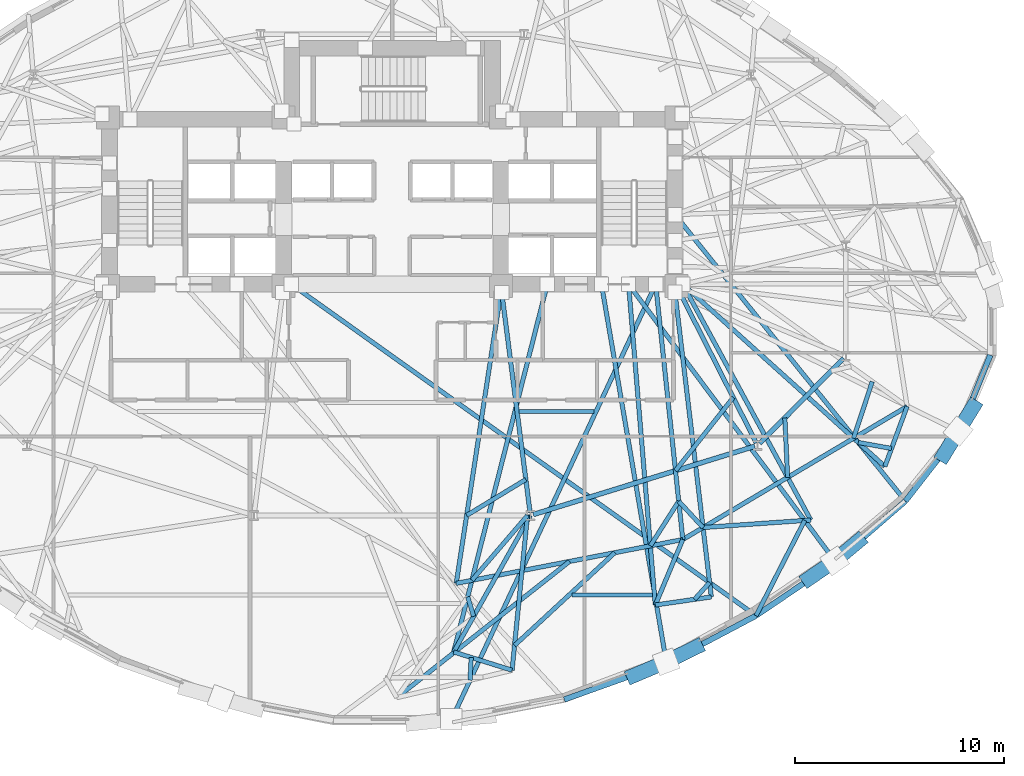
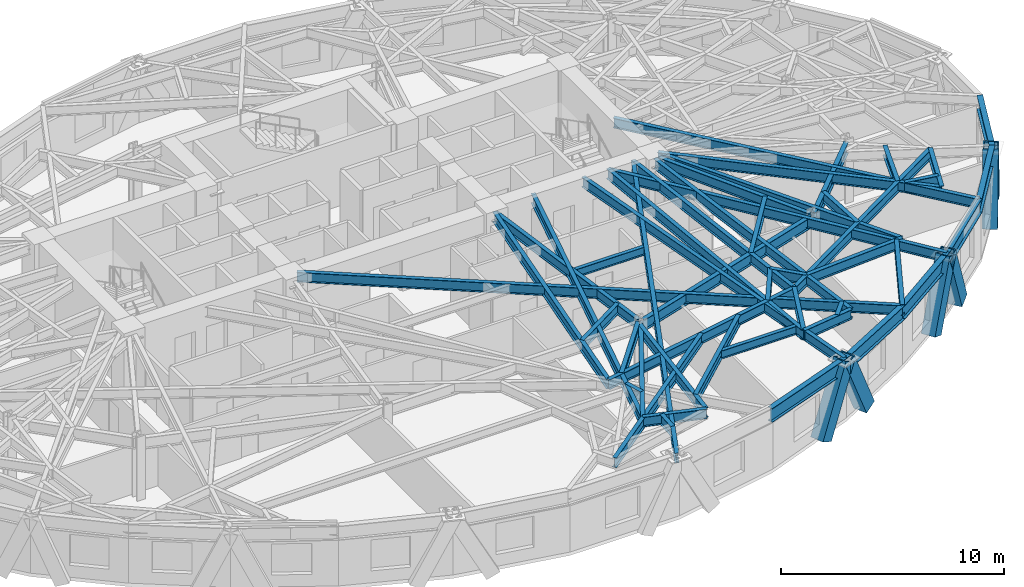
# One storey, part 3 of 14: 47 beams, 6 members.
"""IFC4 building model written with IfcOpenShell, lengths in metres."""

import ifcopenshell
import ifcopenshell.guid

model = None  # the IFC model being written
_history = None  # IfcOwnerHistory: only IFC2X3 demands one
_inside = {}  # id of a spatial element -> (the spatial element, [elements in it])
_under = {}  # id of a project, library or spatial element -> (it, [spatial elements below it])
_declared = {}  # id of a project -> (the project, [libraries it declares])
_typed = {}  # id of a type object -> (the type object, [elements of that type])
_made_of = {}  # id of a material, layer set ... -> (it, [elements and type objects made of it])


def new_model(schema):
    """Start an empty IFC model of exactly this schema.

    Asked for "IFC4X3", IfcOpenShell would pick the latest addendum, in which some entities
    have other attributes; the version numbers below select the first issue.
    IFC2X3 requires an IfcOwnerHistory on every rooted entity: one is made here for all.
    """
    global model, _history
    if schema == "IFC4X3":
        model = ifcopenshell.file(schema_version=(4, 3, 0, 0))
    else:
        model = ifcopenshell.file(schema=schema)
    _inside.clear()
    _under.clear()
    _declared.clear()
    _typed.clear()
    _made_of.clear()
    _history = None
    if model.schema == "IFC2X3":
        org = make("IfcOrganization", Name="unknown")
        user = make(
            "IfcPersonAndOrganization",
            ThePerson=make("IfcPerson", FamilyName="unknown"),
            TheOrganization=org,
        )
        app = make(
            "IfcApplication",
            ApplicationDeveloper=org,
            Version="unknown",
            ApplicationFullName="unknown",
            ApplicationIdentifier="unknown",
        )
        _history = make(
            "IfcOwnerHistory",
            OwningUser=user,
            OwningApplication=app,
            ChangeAction="ADDED",
            CreationDate=0,
        )
    return model


def make(cls, **values):
    """One entity of the class cls with the attributes given. An attribute that is None is left unset."""
    return model.create_entity(
        cls, **{name: value for name, value in values.items() if value is not None}
    )


def rooted(cls, **values):
    """An entity with a GlobalId (a new one), such as an element, a storey or a relation."""
    return make(cls, GlobalId=ifcopenshell.guid.new(), OwnerHistory=_history, **values)


def si_unit(unit_type, name, prefix=None):
    """IfcSIUnit, for example si_unit("LENGTHUNIT", "METRE", prefix="MILLI")."""
    return make("IfcSIUnit", UnitType=unit_type, Prefix=prefix, Name=name)


def assignment(units):
    """IfcUnitAssignment: the units of a project."""
    return None if units is None else make("IfcUnitAssignment", Units=units)


def point(xyz):
    """IfcCartesianPoint."""
    return None if xyz is None else make("IfcCartesianPoint", Coordinates=xyz)


def direction(xyz):
    """IfcDirection."""
    return None if xyz is None else make("IfcDirection", DirectionRatios=xyz)


def frame(location, z_axis=None, x_axis=None):
    """IfcAxis2Placement3D, a coordinate frame: its origin and axes. An axis left out is left unset."""
    return make(
        "IfcAxis2Placement3D",
        Location=point(location),
        Axis=direction(z_axis),
        RefDirection=direction(x_axis),
    )


def frame_2d(location, x_axis=None):
    """IfcAxis2Placement2D, a coordinate frame in the plane: its origin and x axis."""
    return make(
        "IfcAxis2Placement2D", Location=point(location), RefDirection=direction(x_axis)
    )


def origin():
    """The frame at (0, 0, 0) with its axes left unset."""
    return frame((0.0, 0.0, 0.0))


def origin_2d():
    """The frame at (0, 0) in the plane with its x axis left unset."""
    return frame_2d((0.0, 0.0))


def place(relative_to, where):
    """IfcLocalPlacement: puts the frame where relative to a parent placement (None: the world)."""
    return make(
        "IfcLocalPlacement", PlacementRelTo=relative_to, RelativePlacement=where
    )


def context(
    kind, dimensions, precision=None, world=None, true_north=None, identifier=None
):
    """IfcGeometricRepresentationContext, for example the 3D "Model" context."""
    return make(
        "IfcGeometricRepresentationContext",
        ContextIdentifier=identifier,
        ContextType=kind,
        CoordinateSpaceDimension=dimensions,
        Precision=precision,
        WorldCoordinateSystem=world,
        TrueNorth=true_north,
    )


def subcontext(parent, identifier, kind, view, scale=None):
    """IfcGeometricRepresentationSubContext, for example "Body" below "Model"."""
    return make(
        "IfcGeometricRepresentationSubContext",
        ContextIdentifier=identifier,
        ContextType=kind,
        ParentContext=parent,
        TargetScale=scale,
        TargetView=view,
    )


def project(units=None, contexts=None):
    """IfcProject with its units and contexts."""
    return rooted(
        "IfcProject",
        Name="project",
        RepresentationContexts=contexts,
        UnitsInContext=assignment(units),
    )


def spatial(cls, under=None, at=None, **own):
    """A site, building, storey or space (cls), placed at a placement, below another one or the project."""
    s = rooted(cls, ObjectPlacement=at, **own)
    if under is not None:
        _under.setdefault(under.id(), (under, []))[1].append(s)
    return s


def profile(cls, at=None, kind="AREA", **sizes):
    """A parametric profile (cls). Its sizes go by their IFC names, for example OverallWidth=200.0."""
    return make(cls, ProfileType=kind, Position=at, **sizes)


def hollow_rectangle(**sizes):
    """IfcRectangleHollowProfileDef."""
    return profile("IfcRectangleHollowProfileDef", **sizes)


def i_section(**sizes):
    """IfcIShapeProfileDef."""
    return profile("IfcIShapeProfileDef", **sizes)


def extrude(swept, where, along, depth):
    """IfcExtrudedAreaSolid: the profile swept, set in the frame where, extruded along a direction by depth."""
    return make(
        "IfcExtrudedAreaSolid",
        SweptArea=swept,
        Position=where,
        ExtrudedDirection=direction(along),
        Depth=depth,
    )


def shape(context_of_items, identifier, shape_type, items):
    """IfcShapeRepresentation: the items that make up one representation, for example the "Body"."""
    return make(
        "IfcShapeRepresentation",
        ContextOfItems=context_of_items,
        RepresentationIdentifier=identifier,
        RepresentationType=shape_type,
        Items=items,
    )


def material(Name=None, Category=None):
    """IfcMaterial."""
    return make("IfcMaterial", Name=Name, Category=Category)


def material_profile(
    of_material, cross_section, Name=None, Category=None, Priority=None
):
    """IfcMaterialProfile: a cross section and its material."""
    return make(
        "IfcMaterialProfile",
        Name=Name,
        Material=of_material,
        Profile=cross_section,
        Priority=Priority,
        Category=Category,
    )


def profile_set(profiles, Name=None, composite=None):
    """IfcMaterialProfileSet."""
    return make(
        "IfcMaterialProfileSet",
        Name=Name,
        MaterialProfiles=profiles,
        CompositeProfile=composite,
    )


def made_of(thing, what):
    """Note that an element or type object is made of a material, layer set ...; save() writes the relation."""
    if what is not None:
        _made_of.setdefault(what.id(), (what, []))[1].append(thing)
    return thing


def type_object(cls, material=None, **own):
    """A type object (cls), such as IfcWallType, which elements share."""
    return made_of(rooted(cls, **own), material)


def element(
    cls,
    number,
    at=None,
    inside=None,
    cuts=None,
    type_object=None,
    material=None,
    context=None,
    identifier="Body",
    shape_type=None,
    held_by="IfcProductDefinitionShape",
    body=None,
    shapes=None,
    **own,
):
    """One element of the class cls, such as IfcWall. Its Tag is "e" and its number.

    at: its placement. inside: the storey or other place that contains it. cuts: it is an
    opening in that element (IfcRelVoidsElement). A single representation is given by context,
    identifier, shape_type and body (its items); several are given by shapes. held_by: the class
    of the entity that holds the representations. save() writes the other relations.
    """
    e = rooted(cls, Tag="e%d" % number, ObjectPlacement=at, **own)
    if body is not None:
        shapes = [shape(context, identifier, shape_type, body)]
    if shapes is not None:
        e.Representation = make(held_by, Representations=shapes)
    if inside is not None:
        _inside.setdefault(inside.id(), (inside, []))[1].append(e)
    if cuts is not None:
        rooted(
            "IfcRelVoidsElement", RelatingBuildingElement=cuts, RelatedOpeningElement=e
        )
    if type_object is not None:
        _typed.setdefault(type_object.id(), (type_object, []))[1].append(e)
    return made_of(e, material)


def aggregate(whole, parts):
    """IfcRelAggregates: a whole, such as a stair, and the parts it consists of."""
    return rooted("IfcRelAggregates", RelatingObject=whole, RelatedObjects=parts)


def save(model, path):
    """Write the relations noted so far, then the file.

    IfcRelAggregates (storeys below a building ...), IfcRelContainedInSpatialStructure (elements
    in a storey), IfcRelDefinesByType, IfcRelAssociatesMaterial and IfcRelDeclares: one each for
    every whole, place, type object, material and project.
    """
    for whole, parts in _under.values():
        aggregate(whole, parts)
    for where, things in _inside.values():
        rooted(
            "IfcRelContainedInSpatialStructure",
            RelatedElements=things,
            RelatingStructure=where,
        )
    for kind, things in _typed.values():
        rooted("IfcRelDefinesByType", RelatedObjects=things, RelatingType=kind)
    for what, things in _made_of.values():
        rooted("IfcRelAssociatesMaterial", RelatedObjects=things, RelatingMaterial=what)
    for by, libraries in _declared.values():
        rooted("IfcRelDeclares", RelatingContext=by, RelatedDefinitions=libraries)
    model.write(path)


model = new_model("IFC4")

# Units and contexts
model_context = context("Model", 3, precision=1e-05, world=origin(), true_north=direction((0.0, 1.0)))
body_context = subcontext(model_context, "Body", "Model", "MODEL_VIEW")
ifc_project = project(units=[si_unit("LENGTHUNIT", "METRE"), si_unit("AREAUNIT", "SQUARE_METRE"), si_unit("VOLUMEUNIT", "CUBIC_METRE"), si_unit("PLANEANGLEUNIT", "RADIAN"), si_unit("MASSUNIT", "GRAM", prefix="KILO")], contexts=[model_context])

# Site, building, storey
site_placement = place(None, origin())
site = spatial("IfcSite", under=ifc_project, at=site_placement, CompositionType="ELEMENT")
building_placement = place(site_placement, origin())
building = spatial("IfcBuilding", under=site, at=building_placement, Name="Keldmark Tower", CompositionType="ELEMENT")
storey_placement = place(building_placement, frame((0.0, 0.0, 89.60009765625)))
storey = spatial("IfcBuildingStorey", under=building, at=storey_placement, Name="L23", CompositionType="ELEMENT", Elevation=89.60009765625)

# Beams
ifc_material_1 = material(Name="Steel ASTM A992 Grade 50", Category="steel")
ifc_material_profile_1 = material_profile(ifc_material_1, i_section(OverallWidth=0.19091796875, OverallDepth=0.45703125, WebThickness=0.009033203125, FlangeThickness=0.014404296875, at=origin_2d()), Name="W18X50")
ifc_profile_set_1 = profile_set([ifc_material_profile_1], Name="Steel ASTM A992 Grade 50")
beam_type_1 = type_object("IfcBeamType", Name="Composite Floor Joist W18X50", PredefinedType="JOIST", material=ifc_profile_set_1)
beam_1_placement = place(storey_placement, frame((8.61181640625, -13.3798828125, 3.081298828125), z_axis=(1.0, 0.0, 0.0), x_axis=(0.0, 1.0, 0.0)))
element("IfcBeam", 1, at=beam_1_placement, inside=storey, type_object=beam_type_1, Name="L23 Composite Floor Joist J03", PredefinedType="JOIST", context=body_context, shape_type="SweptSolid", body=[
    extrude(i_section(OverallWidth=0.19091796875, OverallDepth=0.45703125, WebThickness=0.009033203125, FlangeThickness=0.014404296875, at=origin_2d()), origin(), (0.0, 0.0, 1.0), 3.836669921875),
])
beam_2_placement = place(storey_placement, frame((6.07080078125, -4.60009765625, 3.081298828125), z_axis=(1.0, 0.0, 0.0), x_axis=(0.0, 1.0, 0.0)))
element("IfcBeam", 2, at=beam_2_placement, inside=storey, type_object=beam_type_1, Name="L23 Composite Floor Joist J06", PredefinedType="JOIST", context=body_context, shape_type="SweptSolid", body=[
    extrude(i_section(OverallWidth=0.19091796875, OverallDepth=0.45703125, WebThickness=0.009033203125, FlangeThickness=0.014404296875, at=origin_2d()), origin(), (0.0, 0.0, 1.0), 3.57763671875),
])

# Members
ifc_material_2 = material(Name="Steel ASTM A572 Grade 50", Category="steel")
ifc_material_profile_2 = material_profile(ifc_material_2, hollow_rectangle(XDim=0.699951171875, YDim=0.699951171875, WallThickness=0.054931640625, at=origin_2d()), Name="BOX700X700X55")
ifc_profile_set_2 = profile_set([ifc_material_profile_2], Name="Steel ASTM A572 Grade 50")
member_type = type_object("IfcMemberType", Name="Diagrid Zone 1 Brace BOX700X700X55", PredefinedType="BRACE", material=ifc_profile_set_2)
member_1_placement = place(storey_placement, frame((11.5244140625, -17.249755859375, -0.27001953125), z_axis=(0.409173634849, 0.172596418903, 0.895984047138), x_axis=(-0.388655184327, 0.921383279475, 0.0)))
element("IfcMember", 3, at=member_1_placement, inside=storey, type_object=member_type, Name="L23 Perimeter Diagrid Brace 13B", PredefinedType="BRACE", context=body_context, shape_type="SweptSolid", body=[
    extrude(hollow_rectangle(XDim=0.699951171875, YDim=0.699951171875, WallThickness=0.054931640625, at=origin_2d()), origin(), (0.0, 0.0, 1.0), 3.861572265625),
])
member_2_placement = place(storey_placement, frame((14.55322265625, -15.872314453125, -0.27001953125), z_axis=(-0.381840327912, -0.187184144692, 0.905074615684), x_axis=(0.44017146199, -0.89791373976, 0.0)))
element("IfcMember", 4, at=member_2_placement, inside=storey, type_object=member_type, Name="L23 Perimeter Diagrid Brace 14A", PredefinedType="BRACE", context=body_context, shape_type="SweptSolid", body=[
    extrude(hollow_rectangle(XDim=0.699951171875, YDim=0.699951171875, WallThickness=0.054931640625, at=origin_2d()), origin(), (0.0, 0.0, 1.0), 3.82275390625),
])
member_3_placement = place(storey_placement, frame((19.907470703125, -12.614013671875, -0.27001953125), z_axis=(0.333620470864, 0.228093392152, 0.914697100617), x_axis=(-0.564391894184, 0.82550698954, 0.0)))
element("IfcMember", 5, at=member_3_placement, inside=storey, type_object=member_type, Name="L23 Perimeter Diagrid Brace 14B", PredefinedType="BRACE", context=body_context, shape_type="SweptSolid", body=[
    extrude(hollow_rectangle(XDim=0.699951171875, YDim=0.699951171875, WallThickness=0.054931640625, at=origin_2d()), origin(), (0.0, 0.0, 1.0), 3.78271484375),
])
member_4_placement = place(storey_placement, frame((22.3076171875, -10.80419921875, -0.27001953125), z_axis=(-0.304262540081, -0.25353051945, 0.918230135865), x_axis=(0.640152216229, -0.768248097984, 0.0)))
element("IfcMember", 6, at=member_4_placement, inside=storey, type_object=member_type, Name="L23 Perimeter Diagrid Brace 15A", PredefinedType="BRACE", context=body_context, shape_type="SweptSolid", body=[
    extrude(hollow_rectangle(XDim=0.699951171875, YDim=0.699951171875, WallThickness=0.054931640625, at=origin_2d()), origin(), (0.0, 0.0, 1.0), 3.76806640625),
])
member_5_placement = place(storey_placement, frame((26.37841796875, -6.693115234375, -0.27001953125), z_axis=(0.187684398206, 0.308178834782, 0.932630887577), x_axis=(-0.854078792006, 0.520143650395, 0.0)))
element("IfcMember", 7, at=member_5_placement, inside=storey, type_object=member_type, Name="L23 Perimeter Diagrid Brace 15B", PredefinedType="BRACE", context=body_context, shape_type="SweptSolid", body=[
    extrude(hollow_rectangle(XDim=0.699951171875, YDim=0.699951171875, WallThickness=0.054931640625, at=origin_2d()), origin(), (0.0, 0.0, 1.0), 3.7099609375),
])
member_6_placement = place(storey_placement, frame((27.798583984375, -4.372314453125, -0.27001953125), z_axis=(-0.195238026739, -0.31861170438, 0.927560615134), x_axis=(0.852649078303, -0.522484018196, 0.0)))
element("IfcMember", 8, at=member_6_placement, inside=storey, type_object=member_type, Name="L23 Perimeter Diagrid Brace 16A", PredefinedType="BRACE", context=body_context, shape_type="SweptSolid", body=[
    extrude(hollow_rectangle(XDim=0.699951171875, YDim=0.699951171875, WallThickness=0.054931640625, at=origin_2d()), origin(), (0.0, 0.0, 1.0), 3.730224609375),
])

# Beams
ifc_material_3 = material(Name="Steel ASTM A992 Grade 50", Category="steel")
ifc_material_profile_3 = material_profile(ifc_material_3, i_section(OverallWidth=0.22900390625, OverallDepth=0.612060546875, WebThickness=0.011962890625, FlangeThickness=0.01953125, at=origin_2d()), Name="W24X84")
ifc_profile_set_3 = profile_set([ifc_material_profile_3], Name="Steel ASTM A992 Grade 50")
beam_type_2 = type_object("IfcBeamType", Name="Primary Floor Girder W24X84", PredefinedType="BEAM", material=ifc_profile_set_3)
beam_3_placement = place(storey_placement, frame((6.74658203125, -9.5380859375, 3.00390625), z_axis=(0.955607954968, 0.294641199432, 0.0), x_axis=(-0.294641199432, 0.955607954968, 0.0)))
element("IfcBeam", 9, at=beam_3_placement, inside=storey, type_object=beam_type_2, Name="L23 Floor Ring Girder FG-R10", PredefinedType="BEAM", context=body_context, shape_type="SweptSolid", body=[
    extrude(i_section(OverallWidth=0.22900390625, OverallDepth=0.612060546875, WebThickness=0.011962890625, FlangeThickness=0.01953125, at=origin_2d()), origin(), (0.0, 0.0, 1.0), 11.089111328125),
])
beam_4_placement = place(storey_placement, frame((17.57568359375, -6.130126953125, 3.00390625), z_axis=(0.703425791323, 0.71076870788, 0.0), x_axis=(-0.71076870788, 0.703425791323, 0.0)))
element("IfcBeam", 10, at=beam_4_placement, inside=storey, type_object=beam_type_2, Name="L23 Floor Ring Girder FG-R11", PredefinedType="BEAM", context=body_context, shape_type="SweptSolid", body=[
    extrude(i_section(OverallWidth=0.22900390625, OverallDepth=0.612060546875, WebThickness=0.011962890625, FlangeThickness=0.01953125, at=origin_2d()), origin(), (0.0, 0.0, 1.0), 5.71875),
])
ifc_material_4 = material(Name="Steel ASTM A992 Grade 50", Category="steel")
ifc_material_profile_4 = material_profile(ifc_material_4, i_section(OverallWidth=0.2099609375, OverallDepth=0.537109375, WebThickness=0.010986328125, FlangeThickness=0.017333984375, at=origin_2d()), Name="W21X68")
ifc_profile_set_4 = profile_set([ifc_material_profile_4], Name="Steel ASTM A992 Grade 50")
beam_type_3 = type_object("IfcBeamType", Name="Radial Tie Girder W21X68", PredefinedType="BEAM", material=ifc_profile_set_4)
beam_5_placement = place(storey_placement, frame((6.391845703125, -7.862060546875, 3.04150390625), z_axis=(-0.854858796967, -0.518860710835, 0.0), x_axis=(0.518860710835, -0.854858796967, 0.0)))
element("IfcBeam", 11, at=beam_5_placement, inside=storey, type_object=beam_type_3, Name="L23 Framing Pin Header PH-007", PredefinedType="BEAM", context=body_context, shape_type="SweptSolid", body=[
    extrude(i_section(OverallWidth=0.2099609375, OverallDepth=0.537109375, WebThickness=0.010986328125, FlangeThickness=0.017333984375, at=origin_2d()), origin(), (0.0, 0.0, 1.0), 3.309814453125),
])
beam_6_placement = place(storey_placement, frame((5.199951171875, 1.10009765625, 3.04150390625), z_axis=(-0.1515715807, -0.988446283783, 0.0), x_axis=(0.988446283783, -0.1515715807, 0.0)))
element("IfcBeam", 12, at=beam_6_placement, inside=storey, type_object=beam_type_3, Name="L23 Sub-Ring Step Girder STP2-M10", PredefinedType="BEAM", context=body_context, shape_type="SweptSolid", body=[
    extrude(i_section(OverallWidth=0.2099609375, OverallDepth=0.537109375, WebThickness=0.010986328125, FlangeThickness=0.017333984375, at=origin_2d()), origin(), (0.0, 0.0, 1.0), 14.09228515625),
])
beam_7_placement = place(storey_placement, frame((16.313232421875, -3.93896484375, 3.04150390625), z_axis=(-0.619413520436, -0.785064895853, 0.0), x_axis=(0.785064895853, -0.619413520436, 0.0)))
element("IfcBeam", 13, at=beam_7_placement, inside=storey, type_object=beam_type_3, Name="L23 Framing Pin Header PH-008", PredefinedType="BEAM", context=body_context, shape_type="SweptSolid", body=[
    extrude(i_section(OverallWidth=0.2099609375, OverallDepth=0.537109375, WebThickness=0.010986328125, FlangeThickness=0.017333984375, at=origin_2d()), origin(), (0.0, 0.0, 1.0), 4.459716796875),
])
beam_8_placement = place(storey_placement, frame((12.603515625, 1.47509765625, 3.04150390625), z_axis=(0.105674348574, -0.994400790453, 0.0), x_axis=(0.994400790453, 0.105674348574, 0.0)))
element("IfcBeam", 14, at=beam_8_placement, inside=storey, type_object=beam_type_3, Name="L23 Sub-Ring Step Girder STP2-M11", PredefinedType="BEAM", context=body_context, shape_type="SweptSolid", body=[
    extrude(i_section(OverallWidth=0.2099609375, OverallDepth=0.537109375, WebThickness=0.010986328125, FlangeThickness=0.017333984375, at=origin_2d()), origin(), (0.0, 0.0, 1.0), 12.277099609375),
])
beam_9_placement = place(storey_placement, frame((3.06396484375, -12.829345703125, 3.04150390625), z_axis=(0.981801408261, 0.189910491379, 0.0), x_axis=(-0.189910491379, 0.981801408261, 0.0)))
element("IfcBeam", 15, at=beam_9_placement, inside=storey, type_object=beam_type_3, Name="L23 Perimeter Collector Ring Beam CRG2-M10", PredefinedType="BEAM", context=body_context, shape_type="SweptSolid", body=[
    extrude(i_section(OverallWidth=0.2099609375, OverallDepth=0.537109375, WebThickness=0.010986328125, FlangeThickness=0.017333984375, at=origin_2d()), origin(), (0.0, 0.0, 1.0), 11.037841796875),
])
beam_10_placement = place(storey_placement, frame((13.90087890625, -10.733154296875, 3.04150390625), z_axis=(0.860067317531, 0.510180565403, 0.0), x_axis=(-0.510180565403, 0.860067317531, 0.0)))
element("IfcBeam", 16, at=beam_10_placement, inside=storey, type_object=beam_type_3, Name="L23 Perimeter Collector Ring Beam CRG2-M11", PredefinedType="BEAM", context=body_context, shape_type="SweptSolid", body=[
    extrude(i_section(OverallWidth=0.2099609375, OverallDepth=0.537109375, WebThickness=0.010986328125, FlangeThickness=0.017333984375, at=origin_2d()), origin(), (0.0, 0.0, 1.0), 12.47412109375),
])
beam_11_placement = place(storey_placement, frame((6.472900390625, -9.579345703125, 3.04150390625), z_axis=(-0.650511004562, -0.759496828791, 0.0), x_axis=(0.759496828791, -0.650511004562, 0.0)))
element("IfcBeam", 17, at=beam_11_placement, inside=storey, type_object=beam_type_3, Name="L23 Framing Pin Header PH-027", PredefinedType="BEAM", context=body_context, shape_type="SweptSolid", body=[
    extrude(i_section(OverallWidth=0.2099609375, OverallDepth=0.537109375, WebThickness=0.010986328125, FlangeThickness=0.017333984375, at=origin_2d()), origin(), (0.0, 0.0, 1.0), 4.088134765625),
])
beam_12_placement = place(storey_placement, frame((7.41796875, 1.47509765625, 3.04150390625), z_axis=(-0.246702252264, -0.969091326309, 0.0), x_axis=(0.969091326309, -0.246702252264, 0.0)))
element("IfcBeam", 18, at=beam_12_placement, inside=storey, type_object=beam_type_3, Name="L23 Intermediate Radial Step Girder RT-25M", PredefinedType="BEAM", context=body_context, shape_type="SweptSolid", body=[
    extrude(i_section(OverallWidth=0.2099609375, OverallDepth=0.537109375, WebThickness=0.010986328125, FlangeThickness=0.017333984375, at=origin_2d()), origin(), (0.0, 0.0, 1.0), 18.147705078125),
])
beam_13_placement = place(storey_placement, frame((6.61279296875, -9.579345703125, 3.04150390625), z_axis=(-0.490007537333, -0.871718196069, 0.0), x_axis=(0.871718196069, -0.490007537333, 0.0)))
element("IfcBeam", 19, at=beam_13_placement, inside=storey, type_object=beam_type_3, Name="L23 Local Collector Chord RT-25C", PredefinedType="BEAM", context=body_context, shape_type="SweptSolid", body=[
    extrude(i_section(OverallWidth=0.2099609375, OverallDepth=0.537109375, WebThickness=0.010986328125, FlangeThickness=0.017333984375, at=origin_2d()), origin(), (0.0, 0.0, 1.0), 7.493408203125),
])
beam_14_placement = place(storey_placement, frame((3.612548828125, -13.4736328125, 3.04150390625), z_axis=(0.291856969132, -0.956461974973, 0.0), x_axis=(0.956461974973, 0.291856969132, 0.0)))
element("IfcBeam", 20, at=beam_14_placement, inside=storey, type_object=beam_type_3, Name="L23 Framing Pin Header PH-028", PredefinedType="BEAM", context=body_context, shape_type="SweptSolid", body=[
    extrude(i_section(OverallWidth=0.2099609375, OverallDepth=0.537109375, WebThickness=0.010986328125, FlangeThickness=0.017333984375, at=origin_2d()), origin(), (0.0, 0.0, 1.0), 0.977783203125),
])
beam_15_placement = place(storey_placement, frame((2.94091796875, -16.111572265625, 3.04150390625), z_axis=(0.954353708733, -0.298678754897, 0.0), x_axis=(0.298678754897, 0.954353708733, 0.0)))
element("IfcBeam", 21, at=beam_15_placement, inside=storey, type_object=beam_type_3, Name="L23 Local Collector Chord RT-26C", PredefinedType="BEAM", context=body_context, shape_type="SweptSolid", body=[
    extrude(i_section(OverallWidth=0.2099609375, OverallDepth=0.537109375, WebThickness=0.010986328125, FlangeThickness=0.017333984375, at=origin_2d()), origin(), (0.0, 0.0, 1.0), 2.92626953125),
])
beam_16_placement = place(storey_placement, frame((13.706298828125, -8.902099609375, 3.04150390625), z_axis=(-0.537163075691, -0.843478411172, 0.0), x_axis=(0.843478411172, -0.537163075691, 0.0)))
element("IfcBeam", 22, at=beam_16_placement, inside=storey, type_object=beam_type_3, Name="L23 Framing Pin Header PH-029", PredefinedType="BEAM", context=body_context, shape_type="SweptSolid", body=[
    extrude(i_section(OverallWidth=0.2099609375, OverallDepth=0.537109375, WebThickness=0.010986328125, FlangeThickness=0.017333984375, at=origin_2d()), origin(), (0.0, 0.0, 1.0), 2.526611328125),
])
beam_17_placement = place(storey_placement, frame((11.30712890625, 1.47509765625, 3.04150390625), z_axis=(0.083021855392, -0.996547726668, 0.0), x_axis=(0.996547726668, 0.083021855392, 0.0)))
element("IfcBeam", 23, at=beam_17_placement, inside=storey, type_object=beam_type_3, Name="L23 Intermediate Radial Step Girder RT-27M", PredefinedType="BEAM", context=body_context, shape_type="SweptSolid", body=[
    extrude(i_section(OverallWidth=0.2099609375, OverallDepth=0.537109375, WebThickness=0.010986328125, FlangeThickness=0.017333984375, at=origin_2d()), origin(), (0.0, 0.0, 1.0), 15.39453125),
])
beam_18_placement = place(storey_placement, frame((13.90087890625, -10.733154296875, 3.04150390625), z_axis=(-0.387179960896, -0.9220041637, 0.0), x_axis=(0.9220041637, -0.387179960896, 0.0)))
element("IfcBeam", 24, at=beam_18_placement, inside=storey, type_object=beam_type_3, Name="L23 Local Collector Chord RT-27C", PredefinedType="BEAM", context=body_context, shape_type="SweptSolid", body=[
    extrude(i_section(OverallWidth=0.2099609375, OverallDepth=0.537109375, WebThickness=0.010986328125, FlangeThickness=0.017333984375, at=origin_2d()), origin(), (0.0, 0.0, 1.0), 3.398193359375),
])
beam_19_placement = place(storey_placement, frame((10.0107421875, 1.47509765625, 3.04150390625), z_axis=(0.169256154874, -0.985572094794, 0.0), x_axis=(0.985572094794, 0.169256154874, 0.0)))
element("IfcBeam", 25, at=beam_19_placement, inside=storey, type_object=beam_type_3, Name="L23 Perimeter Radial Tie Girder RT-27", PredefinedType="BEAM", context=body_context, shape_type="SweptSolid", body=[
    extrude(i_section(OverallWidth=0.2099609375, OverallDepth=0.537109375, WebThickness=0.010986328125, FlangeThickness=0.017333984375, at=origin_2d()), origin(), (0.0, 0.0, 1.0), 18.380859375),
])
beam_20_placement = place(storey_placement, frame((13.706298828125, -8.902099609375, 3.04150390625), z_axis=(0.679197580968, -0.733955479581, 0.0), x_axis=(0.733955479581, 0.679197580968, 0.0)))
element("IfcBeam", 26, at=beam_20_placement, inside=storey, type_object=beam_type_3, Name="L23 Framing Pin Header PH-030", PredefinedType="BEAM", context=body_context, shape_type="SweptSolid", body=[
    extrude(i_section(OverallWidth=0.2099609375, OverallDepth=0.537109375, WebThickness=0.010986328125, FlangeThickness=0.017333984375, at=origin_2d()), origin(), (0.0, 0.0, 1.0), 1.712158203125),
])
beam_21_placement = place(storey_placement, frame((13.52490234375, 1.10009765625, 3.04150390625), z_axis=(0.118539275624, -0.992949364336, 0.0), x_axis=(0.992949364336, 0.118539275624, 0.0)))
element("IfcBeam", 27, at=beam_21_placement, inside=storey, type_object=beam_type_3, Name="L23 Intermediate Radial Step Girder RT-28M", PredefinedType="BEAM", context=body_context, shape_type="SweptSolid", body=[
    extrude(i_section(OverallWidth=0.2099609375, OverallDepth=0.537109375, WebThickness=0.010986328125, FlangeThickness=0.017333984375, at=origin_2d()), origin(), (0.0, 0.0, 1.0), 14.6806640625),
])
beam_22_placement = place(storey_placement, frame((12.585205078125, -13.8662109375, 3.04150390625), z_axis=(0.989620500195, 0.143705482127, 0.0), x_axis=(-0.143705482127, 0.989620500195, 0.0)))
element("IfcBeam", 28, at=beam_22_placement, inside=storey, type_object=beam_type_3, Name="L23 Local Collector Chord RT-28C", PredefinedType="BEAM", context=body_context, shape_type="SweptSolid", body=[
    extrude(i_section(OverallWidth=0.2099609375, OverallDepth=0.537109375, WebThickness=0.010986328125, FlangeThickness=0.017333984375, at=origin_2d()), origin(), (0.0, 0.0, 1.0), 2.7080078125),
])
beam_23_placement = place(storey_placement, frame((14.461181640625, -13.59375, 3.04150390625), z_axis=(0.66915218364, 0.743125396639, 0.0), x_axis=(-0.743125396639, 0.66915218364, 0.0)))
element("IfcBeam", 29, at=beam_23_placement, inside=storey, type_object=beam_type_3, Name="L23 Framing Pin Header PH-031", PredefinedType="BEAM", context=body_context, shape_type="SweptSolid", body=[
    extrude(i_section(OverallWidth=0.2099609375, OverallDepth=0.537109375, WebThickness=0.010986328125, FlangeThickness=0.017333984375, at=origin_2d()), origin(), (0.0, 0.0, 1.0), 1.079345703125),
])
beam_24_placement = place(storey_placement, frame((-4.824951171875, 1.47509765625, 3.04150390625), z_axis=(0.814211727805, -0.580568051399, 0.0), x_axis=(0.580568051399, 0.814211727805, 0.0)))
element("IfcBeam", 30, at=beam_24_placement, inside=storey, type_object=beam_type_3, Name="L23 Perimeter Radial Tie Girder RT-28", PredefinedType="BEAM", context=body_context, shape_type="SweptSolid", body=[
    extrude(i_section(OverallWidth=0.2099609375, OverallDepth=0.537109375, WebThickness=0.010986328125, FlangeThickness=0.017333984375, at=origin_2d()), origin(), (0.0, 0.0, 1.0), 27.3017578125),
])
beam_25_placement = place(storey_placement, frame((18.78271484375, -4.91064453125, 3.04150390625), z_axis=(0.046145510685, -0.99893472852, 0.0), x_axis=(0.99893472852, 0.046145510685, 0.0)))
element("IfcBeam", 31, at=beam_25_placement, inside=storey, type_object=beam_type_3, Name="L23 Framing Pin Header PH-032", PredefinedType="BEAM", context=body_context, shape_type="SweptSolid", body=[
    extrude(i_section(OverallWidth=0.2099609375, OverallDepth=0.537109375, WebThickness=0.010986328125, FlangeThickness=0.017333984375, at=origin_2d()), origin(), (0.0, 0.0, 1.0), 2.8515625),
])
beam_26_placement = place(storey_placement, frame((13.89990234375, 1.47509765625, 3.04150390625), z_axis=(0.477218245303, -0.878784812312, 0.0), x_axis=(0.878784812312, 0.477218245303, 0.0)))
element("IfcBeam", 32, at=beam_26_placement, inside=storey, type_object=beam_type_3, Name="L23 Intermediate Radial Step Girder RT-29M", PredefinedType="BEAM", context=body_context, shape_type="SweptSolid", body=[
    extrude(i_section(OverallWidth=0.2099609375, OverallDepth=0.537109375, WebThickness=0.010986328125, FlangeThickness=0.017333984375, at=origin_2d()), origin(), (0.0, 0.0, 1.0), 12.831298828125),
])
beam_27_placement = place(storey_placement, frame((14.869140625, -10.15869140625, 3.04150390625), z_axis=(0.997597557042, 0.069275639175, 0.0), x_axis=(-0.069275639175, 0.997597557042, 0.0)))
element("IfcBeam", 33, at=beam_27_placement, inside=storey, type_object=beam_type_3, Name="L23 Local Collector Chord RT-29C", PredefinedType="BEAM", context=body_context, shape_type="SweptSolid", body=[
    extrude(i_section(OverallWidth=0.2099609375, OverallDepth=0.537109375, WebThickness=0.010986328125, FlangeThickness=0.017333984375, at=origin_2d()), origin(), (0.0, 0.0, 1.0), 5.16650390625),
])
beam_28_placement = place(storey_placement, frame((17.404541015625, -14.37548828125, 3.04150390625), z_axis=(0.45523299267, 0.890372350416, 0.0), x_axis=(-0.890372350416, 0.45523299267, 0.0)))
element("IfcBeam", 34, at=beam_28_placement, inside=storey, type_object=beam_type_3, Name="L23 Framing Pin Header PH-033", PredefinedType="BEAM", context=body_context, shape_type="SweptSolid", body=[
    extrude(i_section(OverallWidth=0.2099609375, OverallDepth=0.537109375, WebThickness=0.010986328125, FlangeThickness=0.017333984375, at=origin_2d()), origin(), (0.0, 0.0, 1.0), 5.115234375),
])
beam_29_placement = place(storey_placement, frame((11.30712890625, 1.47509765625, 3.04150390625), z_axis=(0.5979054554, -0.801566632541, 0.0), x_axis=(0.801566632541, 0.5979054554, 0.0)))
element("IfcBeam", 35, at=beam_29_placement, inside=storey, type_object=beam_type_3, Name="L23 Perimeter Radial Tie Girder RT-29", PredefinedType="BEAM", context=body_context, shape_type="SweptSolid", body=[
    extrude(i_section(OverallWidth=0.2099609375, OverallDepth=0.537109375, WebThickness=0.010986328125, FlangeThickness=0.017333984375, at=origin_2d()), origin(), (0.0, 0.0, 1.0), 16.558349609375),
])
beam_30_placement = place(storey_placement, frame((22.9638671875, -3.177978515625, 3.04150390625), z_axis=(-0.313583405224, -0.949560660499, 0.0), x_axis=(0.949560660499, -0.313583405224, 0.0)))
element("IfcBeam", 36, at=beam_30_placement, inside=storey, type_object=beam_type_3, Name="L23 Framing Pin Header PH-034", PredefinedType="BEAM", context=body_context, shape_type="SweptSolid", body=[
    extrude(i_section(OverallWidth=0.2099609375, OverallDepth=0.537109375, WebThickness=0.010986328125, FlangeThickness=0.017333984375, at=origin_2d()), origin(), (0.0, 0.0, 1.0), 2.854248046875),
])
beam_31_placement = place(storey_placement, frame((13.89990234375, 1.47509765625, 3.04150390625), z_axis=(0.742793966546, -0.669520069351, 0.0), x_axis=(0.669520069351, 0.742793966546, 0.0)))
element("IfcBeam", 37, at=beam_31_placement, inside=storey, type_object=beam_type_3, Name="L23 Intermediate Radial Step Girder RT-30M", PredefinedType="BEAM", context=body_context, shape_type="SweptSolid", body=[
    extrude(i_section(OverallWidth=0.2099609375, OverallDepth=0.537109375, WebThickness=0.010986328125, FlangeThickness=0.017333984375, at=origin_2d()), origin(), (0.0, 0.0, 1.0), 13.014404296875),
])
beam_32_placement = place(storey_placement, frame((24.62939453125, -4.369140625, 3.04150390625), z_axis=(-0.347272772937, -0.937764160744, 0.0), x_axis=(0.937764160744, -0.347272772937, 0.0)))
element("IfcBeam", 38, at=beam_32_placement, inside=storey, type_object=beam_type_3, Name="L23 Local Collector Chord RT-30C", PredefinedType="BEAM", context=body_context, shape_type="SweptSolid", body=[
    extrude(i_section(OverallWidth=0.2099609375, OverallDepth=0.537109375, WebThickness=0.010986328125, FlangeThickness=0.017333984375, at=origin_2d()), origin(), (0.0, 0.0, 1.0), 3.0595703125),
])
beam_33_placement = place(storey_placement, frame((23.8857421875, -6.377685546875, 3.04150390625), z_axis=(-0.984043154123, 0.177929960445, 0.0), x_axis=(-0.177929960445, -0.984043154123, 0.0)))
element("IfcBeam", 39, at=beam_33_placement, inside=storey, type_object=beam_type_3, Name="L23 Framing Pin Header PH-035", PredefinedType="BEAM", context=body_context, shape_type="SweptSolid", body=[
    extrude(i_section(OverallWidth=0.2099609375, OverallDepth=0.537109375, WebThickness=0.010986328125, FlangeThickness=0.017333984375, at=origin_2d()), origin(), (0.0, 0.0, 1.0), 1.619140625),
])
beam_34_placement = place(storey_placement, frame((13.52490234375, 4.80712890625, 3.04150390625), z_axis=(0.626873162778, -0.779121324178, 0.0), x_axis=(0.779121324178, 0.626873162778, 0.0)))
element("IfcBeam", 40, at=beam_34_placement, inside=storey, type_object=beam_type_3, Name="L23 Perimeter Radial Tie Girder RT-30", PredefinedType="BEAM", context=body_context, shape_type="SweptSolid", body=[
    extrude(i_section(OverallWidth=0.2099609375, OverallDepth=0.537109375, WebThickness=0.010986328125, FlangeThickness=0.017333984375, at=origin_2d()), origin(), (0.0, 0.0, 1.0), 17.58642578125),
])
beam_35_placement = place(storey_placement, frame((8.482421875, -11.78125, 3.04150390625), z_axis=(-0.785301270059, -0.619113814451, 0.0), x_axis=(0.619113814451, -0.785301270059, 0.0)))
element("IfcBeam", 41, at=beam_35_placement, inside=storey, type_object=beam_type_3, Name="L23 Crown Step Radial Girder RT-24RN1", PredefinedType="BEAM", context=body_context, shape_type="SweptSolid", body=[
    extrude(i_section(OverallWidth=0.2099609375, OverallDepth=0.537109375, WebThickness=0.010986328125, FlangeThickness=0.017333984375, at=origin_2d()), origin(), (0.0, 0.0, 1.0), 10.52294921875),
])
beam_36_placement = place(storey_placement, frame((3.77880859375, -16.373779296875, 3.04150390625), z_axis=(-0.051020178792, -0.998697622585, 0.0), x_axis=(0.998697622585, -0.051020178792, 0.0)))
element("IfcBeam", 42, at=beam_36_placement, inside=storey, type_object=beam_type_3, Name="L23 Framing Pin Header PH-048", PredefinedType="BEAM", context=body_context, shape_type="SweptSolid", body=[
    extrude(i_section(OverallWidth=0.2099609375, OverallDepth=0.537109375, WebThickness=0.010986328125, FlangeThickness=0.017333984375, at=origin_2d()), origin(), (0.0, 0.0, 1.0), 1.091064453125),
])
beam_37_placement = place(storey_placement, frame((12.603515625, 1.47509765625, 3.04150390625), z_axis=(-0.424553006248, -0.905403084204, 0.0), x_axis=(0.905403084204, -0.424553006248, 0.0)))
element("IfcBeam", 43, at=beam_37_placement, inside=storey, type_object=beam_type_3, Name="L23 Perimeter Radial Tie Girder RT-25R", PredefinedType="BEAM", context=body_context, shape_type="SweptSolid", body=[
    extrude(i_section(OverallWidth=0.2099609375, OverallDepth=0.537109375, WebThickness=0.010986328125, FlangeThickness=0.017333984375, at=origin_2d()), origin(), (0.0, 0.0, 1.0), 23.04931640625),
])
beam_38_placement = place(storey_placement, frame((5.733642578125, -16.985595703125, 3.04150390625), z_axis=(0.099321849656, 0.99505536036, 0.0), x_axis=(-0.99505536036, 0.099321849656, 0.0)))
element("IfcBeam", 44, at=beam_38_placement, inside=storey, type_object=beam_type_3, Name="L23 Straddling Support Chord RT-26RB", PredefinedType="BEAM", context=body_context, shape_type="SweptSolid", body=[
    extrude(i_section(OverallWidth=0.2099609375, OverallDepth=0.537109375, WebThickness=0.010986328125, FlangeThickness=0.017333984375, at=origin_2d()), origin(), (0.0, 0.0, 1.0), 7.443115234375),
])
beam_39_placement = place(storey_placement, frame((10.64990234375, -11.362060546875, 3.04150390625), z_axis=(-0.734119922766, -0.679019836969, 0.0), x_axis=(0.679019836969, -0.734119922766, 0.0)))
element("IfcBeam", 45, at=beam_39_placement, inside=storey, type_object=beam_type_3, Name="L23 Framing Pin Header PH-049", PredefinedType="BEAM", context=body_context, shape_type="SweptSolid", body=[
    extrude(i_section(OverallWidth=0.2099609375, OverallDepth=0.537109375, WebThickness=0.010986328125, FlangeThickness=0.017333984375, at=origin_2d()), origin(), (0.0, 0.0, 1.0), 6.535400390625),
])
ifc_material_5 = material(Name="Steel ASTM A992 Grade 50", Category="steel")
ifc_material_profile_5 = material_profile(ifc_material_5, i_section(OverallWidth=0.214111328125, OverallDepth=0.549072265625, WebThickness=0.0146484375, FlangeThickness=0.023681640625, at=origin_2d()), Name="W21X93")
ifc_profile_set_5 = profile_set([ifc_material_profile_5], Name="Steel ASTM A992 Grade 50")
beam_type_4 = type_object("IfcBeamType", Name="Radial Tie Girder W21X93", PredefinedType="BEAM", material=ifc_profile_set_5)
beam_40_placement = place(storey_placement, frame((6.594970703125, -9.4404296875, 3.035400390625), z_axis=(-0.127642040045, 0.991820301069, 0.0), x_axis=(-0.991820301069, -0.127642040045, 0.0)))
element("IfcBeam", 46, at=beam_40_placement, inside=storey, type_object=beam_type_4, Name="L23 Floor Radial Girder FG-C10", PredefinedType="BEAM", context=body_context, shape_type="SweptSolid", body=[
    extrude(i_section(OverallWidth=0.214111328125, OverallDepth=0.549072265625, WebThickness=0.0146484375, FlangeThickness=0.023681640625, at=origin_2d()), origin(), (0.0, 0.0, 1.0), 10.609619140625),
])
beam_41_placement = place(storey_placement, frame((17.413818359375, -6.104736328125, 3.035400390625), z_axis=(-0.453028637759, 0.891495963743, 0.0), x_axis=(-0.891495963743, -0.453028637759, 0.0)))
element("IfcBeam", 47, at=beam_41_placement, inside=storey, type_object=beam_type_4, Name="L23 Floor Radial Girder FG-C11", PredefinedType="BEAM", context=body_context, shape_type="SweptSolid", body=[
    extrude(i_section(OverallWidth=0.214111328125, OverallDepth=0.549072265625, WebThickness=0.0146484375, FlangeThickness=0.023681640625, at=origin_2d()), origin(), (0.0, 0.0, 1.0), 8.09814453125),
])
ifc_material_6 = material(Name="Steel ASTM A992 Grade 50", Category="steel")
ifc_material_profile_6 = material_profile(ifc_material_6, i_section(OverallWidth=0.26806640625, OverallDepth=0.77001953125, WebThickness=0.015625, FlangeThickness=0.025390625, at=origin_2d()), Name="W30X132")
ifc_profile_set_6 = profile_set([ifc_material_profile_6], Name="Steel ASTM A992 Grade 50")
beam_type_5 = type_object("IfcBeamType", Name="Spandrel Ring Beam W30X132", PredefinedType="SPANDREL", material=ifc_profile_set_6)
beam_42_placement = place(storey_placement, frame((8.22900390625, -18.388427734375, 2.9248046875), z_axis=(0.941719584121, 0.336398907376, 0.0), x_axis=(-0.336398907376, 0.941719584121, 0.0)))
element("IfcBeam", 48, at=beam_42_placement, inside=storey, type_object=beam_type_5, Name="L23 Perimeter Spandrel Ring Beam SRB-26", PredefinedType="SPANDREL", context=body_context, shape_type="SweptSolid", body=[
    extrude(i_section(OverallWidth=0.26806640625, OverallDepth=0.77001953125, WebThickness=0.015625, FlangeThickness=0.025390625, at=origin_2d()), origin(), (0.0, 0.0, 1.0), 5.195556640625),
])
beam_43_placement = place(storey_placement, frame((13.121826171875, -16.640625, 2.9248046875), z_axis=(0.883974159998, 0.467535757409, 0.0), x_axis=(-0.467535757409, 0.883974159998, 0.0)))
element("IfcBeam", 49, at=beam_43_placement, inside=storey, type_object=beam_type_5, Name="L23 Perimeter Spandrel Ring Beam SRB-27", PredefinedType="SPANDREL", context=body_context, shape_type="SweptSolid", body=[
    extrude(i_section(OverallWidth=0.26806640625, OverallDepth=0.77001953125, WebThickness=0.015625, FlangeThickness=0.025390625, at=origin_2d()), origin(), (0.0, 0.0, 1.0), 4.8447265625),
])
beam_44_placement = place(storey_placement, frame((17.404541015625, -14.37548828125, 2.9248046875), z_axis=(0.827749911298, 0.561097214701, 0.0), x_axis=(-0.561097214701, 0.827749911298, 0.0)))
element("IfcBeam", 50, at=beam_44_placement, inside=storey, type_object=beam_type_5, Name="L23 Perimeter Spandrel Ring Beam SRB-28", PredefinedType="SPANDREL", context=body_context, shape_type="SweptSolid", body=[
    extrude(i_section(OverallWidth=0.26806640625, OverallDepth=0.77001953125, WebThickness=0.015625, FlangeThickness=0.025390625, at=origin_2d()), origin(), (0.0, 0.0, 1.0), 4.59423828125),
])
beam_45_placement = place(storey_placement, frame((21.20751953125, -11.797607421875, 2.9248046875), z_axis=(0.754949760528, 0.655782630967, 0.0), x_axis=(-0.655782630967, 0.754949760528, 0.0)))
element("IfcBeam", 51, at=beam_45_placement, inside=storey, type_object=beam_type_5, Name="L23 Perimeter Spandrel Ring Beam SRB-29", PredefinedType="SPANDREL", context=body_context, shape_type="SweptSolid", body=[
    extrude(i_section(OverallWidth=0.26806640625, OverallDepth=0.77001953125, WebThickness=0.015625, FlangeThickness=0.025390625, at=origin_2d()), origin(), (0.0, 0.0, 1.0), 4.426513671875),
])
beam_46_placement = place(storey_placement, frame((24.54931640625, -8.894775390625, 2.9248046875), z_axis=(0.61375552181, 0.789496142769, 0.0), x_axis=(-0.789496142769, 0.61375552181, 0.0)))
element("IfcBeam", 52, at=beam_46_placement, inside=storey, type_object=beam_type_5, Name="L23 Perimeter Spandrel Ring Beam SRB-30", PredefinedType="SPANDREL", context=body_context, shape_type="SweptSolid", body=[
    extrude(i_section(OverallWidth=0.26806640625, OverallDepth=0.77001953125, WebThickness=0.015625, FlangeThickness=0.025390625, at=origin_2d()), origin(), (0.0, 0.0, 1.0), 4.200927734375),
])
beam_47_placement = place(storey_placement, frame((27.127685546875, -5.578125, 2.9248046875), z_axis=(0.374920072969, 0.927057138954, 0.0), x_axis=(-0.927057138954, 0.374920072969, 0.0)))
element("IfcBeam", 53, at=beam_47_placement, inside=storey, type_object=beam_type_5, Name="L23 Perimeter Spandrel Ring Beam SRB-31", PredefinedType="SPANDREL", context=body_context, shape_type="SweptSolid", body=[
    extrude(i_section(OverallWidth=0.26806640625, OverallDepth=0.77001953125, WebThickness=0.015625, FlangeThickness=0.025390625, at=origin_2d()), origin(), (0.0, 0.0, 1.0), 3.95654296875),
])

save(model, "model.ifc")
